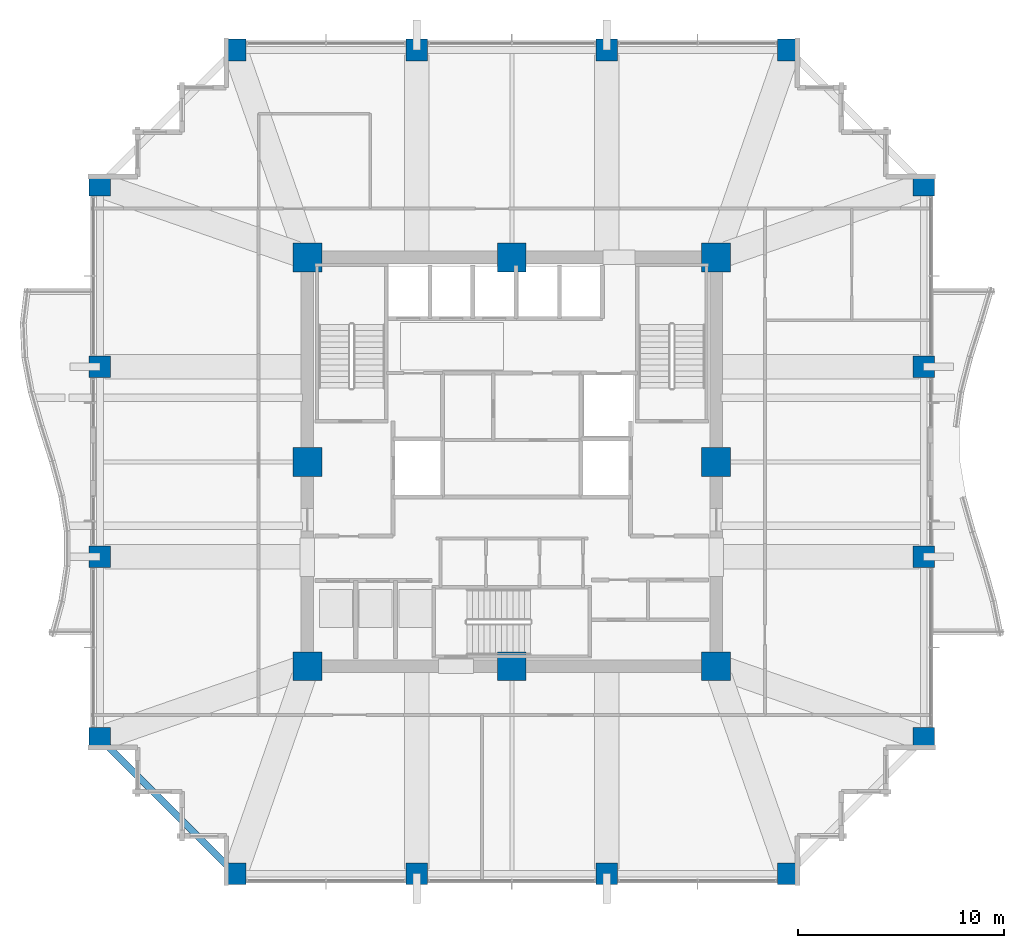
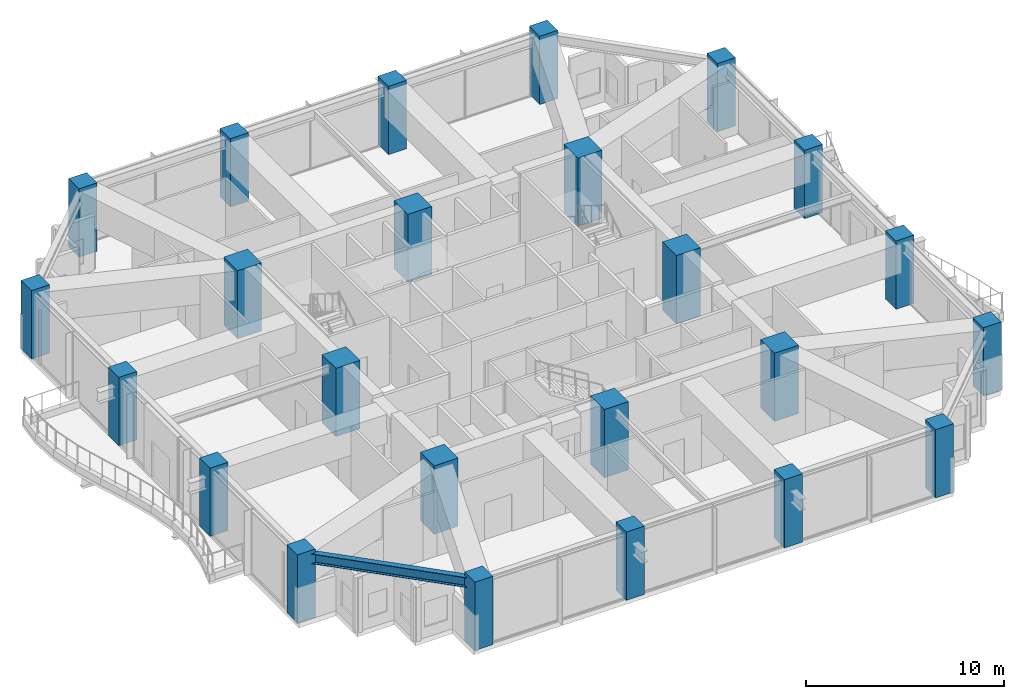
# One storey, part 1 of 40: 24 columns, 1 beam.
"""IFC4 building model written with IfcOpenShell, lengths in metres."""

from ifc_helpers import new_model, si_unit, direction, frame, origin, origin_2d, place, context, subcontext, project, spatial, rectangle, i_section, extrude, material, material_profile, profile_set, type_object, element, save


model = new_model("IFC4")

# Units and contexts
model_context = context("Model", 3, precision=1e-05, world=origin(), true_north=direction((0.0, 1.0)))
body_context = subcontext(model_context, "Body", "Model", "MODEL_VIEW")
ifc_project = project(units=[si_unit("LENGTHUNIT", "METRE"), si_unit("AREAUNIT", "SQUARE_METRE"), si_unit("VOLUMEUNIT", "CUBIC_METRE"), si_unit("PLANEANGLEUNIT", "RADIAN"), si_unit("MASSUNIT", "GRAM", prefix="KILO")], contexts=[model_context])

# Site, building, storey
site_placement = place(None, origin())
site = spatial("IfcSite", under=ifc_project, at=site_placement, CompositionType="ELEMENT")
building_placement = place(site_placement, origin())
building = spatial("IfcBuilding", under=site, at=building_placement, Name="Kolvaren Belvedere", CompositionType="ELEMENT")
storey_placement = place(building_placement, frame((0.0, 0.0, 68.0)))
storey = spatial("IfcBuildingStorey", under=building, at=storey_placement, Name="L19", CompositionType="ELEMENT", Elevation=68.0)

# Columns
ifc_material_1 = material(Name="Concrete C50/60", Category="concrete")
ifc_material_profile_1 = material_profile(ifc_material_1, rectangle(XDim=1.050048828125, YDim=1.050048828125, at=origin_2d()), Name="RC 1050X1050")
ifc_profile_set_1 = profile_set([ifc_material_profile_1], Name="Concrete C50/60")
column_type_1 = type_object("IfcColumnType", Name="COL-RC-1050", PredefinedType="COLUMN", material=ifc_profile_set_1)
for number, where, z_axis, x_axis, name in (
    (1, (-13.39990234375, -19.949951171875, 0.0), (0.0, 0.0, 1.0), (1.0, 0.0, 0.0), "L19 Perimeter Column S1"),
    (2, (-4.60009765625, -19.949951171875, 0.0), (0.0, 0.0, 1.0), (1.0, 0.0, 0.0), "L19 Perimeter Column S2"),
    (3, (4.60009765625, -19.949951171875, 0.0), (0.0, 0.0, 1.0), (1.0, 0.0, 0.0), "L19 Perimeter Column S3"),
    (4, (13.39990234375, -19.949951171875, 0.0), (0.0, 0.0, 1.0), (1.0, 0.0, 0.0), "L19 Perimeter Column S4"),
    (5, (-13.39990234375, 19.949951171875, 0.0), (0.0, 0.0, 1.0), (1.0, 0.0, 0.0), "L19 Perimeter Column N1"),
    (6, (-4.60009765625, 19.949951171875, 0.0), (0.0, 0.0, 1.0), (1.0, 0.0, 0.0), "L19 Perimeter Column N2"),
    (7, (4.60009765625, 19.949951171875, 0.0), (0.0, 0.0, 1.0), (1.0, 0.0, 0.0), "L19 Perimeter Column N3"),
    (8, (13.39990234375, 19.949951171875, 0.0), (0.0, 0.0, 1.0), (1.0, 0.0, 0.0), "L19 Perimeter Column N4"),
    (9, (-19.949951171875, -13.39990234375, 0.0), (0.0, 0.0, 1.0), (1.0, 0.0, 0.0), "L19 Perimeter Column W1"),
    (10, (-19.949951171875, -4.60009765625, 0.0), (0.0, 0.0, 1.0), (1.0, 0.0, 0.0), "L19 Perimeter Column W2"),
    (11, (-19.949951171875, 4.60009765625, 0.0), (0.0, 0.0, 1.0), (1.0, 0.0, 0.0), "L19 Perimeter Column W3"),
    (12, (-19.949951171875, 13.39990234375, 0.0), (0.0, 0.0, 1.0), (1.0, 0.0, 0.0), "L19 Perimeter Column W4"),
    (13, (19.949951171875, -13.39990234375, 0.0), (0.0, 0.0, 1.0), (1.0, 0.0, 0.0), "L19 Perimeter Column E1"),
    (14, (19.949951171875, -4.60009765625, 0.0), (0.0, 0.0, 1.0), (1.0, 0.0, 0.0), "L19 Perimeter Column E2"),
    (15, (19.949951171875, 4.60009765625, 0.0), (0.0, 0.0, 1.0), (1.0, 0.0, 0.0), "L19 Perimeter Column E3"),
    (16, (19.949951171875, 13.39990234375, 0.0), (0.0, 0.0, 1.0), (1.0, 0.0, 0.0), "L19 Perimeter Column E4"),
):
    element("IfcColumn", number, at=place(storey_placement, frame(where, z_axis=z_axis, x_axis=x_axis)), inside=storey, type_object=column_type_1, Name=name, PredefinedType="COLUMN", context=body_context, shape_type="SweptSolid", body=[
        extrude(rectangle(XDim=1.050048828125, YDim=1.050048828125, at=origin_2d()), origin(), (0.0, 0.0, 1.0), 4.199951171875),
    ])
ifc_material_2 = material(Name="Concrete C60/75", Category="concrete")
ifc_material_profile_2 = material_profile(ifc_material_2, rectangle(XDim=1.39990234375, YDim=1.39990234375, at=origin_2d()), Name="RC 1400X1400")
ifc_profile_set_2 = profile_set([ifc_material_profile_2], Name="Concrete C60/75")
column_type_2 = type_object("IfcColumnType", Name="COL-RC-1400", PredefinedType="COLUMN", material=ifc_profile_set_2)
for number, where, z_axis, x_axis, name in (
    (17, (-9.89990234375, -9.89990234375, 0.0), (0.0, 0.0, 1.0), (1.0, 0.0, 0.0), "L19 Core Column CC1"),
    (18, (9.89990234375, -9.89990234375, 0.0), (0.0, 0.0, 1.0), (1.0, 0.0, 0.0), "L19 Core Column CC2"),
    (19, (9.89990234375, 9.89990234375, 0.0), (0.0, 0.0, 1.0), (1.0, 0.0, 0.0), "L19 Core Column CC3"),
    (20, (-9.89990234375, 9.89990234375, 0.0), (0.0, 0.0, 1.0), (1.0, 0.0, 0.0), "L19 Core Column CC4"),
    (21, (0.0, -9.89990234375, 0.0), (0.0, 0.0, 1.0), (1.0, 0.0, 0.0), "L19 Core Column CM1"),
    (22, (9.89990234375, 0.0, 0.0), (0.0, 0.0, 1.0), (1.0, 0.0, 0.0), "L19 Core Column CM2"),
    (23, (0.0, 9.89990234375, 0.0), (0.0, 0.0, 1.0), (1.0, 0.0, 0.0), "L19 Core Column CM3"),
    (24, (-9.89990234375, 0.0, 0.0), (0.0, 0.0, 1.0), (1.0, 0.0, 0.0), "L19 Core Column CM4"),
):
    element("IfcColumn", number, at=place(storey_placement, frame(where, z_axis=z_axis, x_axis=x_axis)), inside=storey, type_object=column_type_2, Name=name, PredefinedType="COLUMN", context=body_context, shape_type="SweptSolid", body=[
        extrude(rectangle(XDim=1.39990234375, YDim=1.39990234375, at=origin_2d()), origin(), (0.0, 0.0, 1.0), 4.199951171875),
    ])

# Beam
ifc_material_3 = material(Name="Structural steel ASTM A992 Grade 50", Category="steel")
ifc_material_profile_3 = material_profile(ifc_material_3, i_section(OverallWidth=0.324951171875, OverallDepth=0.615966796875, WebThickness=0.013916015625, FlangeThickness=0.021484375, FilletRadius=0.02001953125, at=origin_2d()), Name="W24X117")
ifc_profile_set_3 = profile_set([ifc_material_profile_3], Name="Structural steel ASTM A992 Grade 50")
beam_type = type_object("IfcBeamType", Name="BM-SPAN-W24X117", PredefinedType="SPANDREL", material=ifc_profile_set_3)
beam_placement = place(storey_placement, frame((-19.782958984375, -13.567138671875, 3.672119140625), z_axis=(0.707106781187, -0.707106781187, 0.0), x_axis=(0.707106781187, 0.707106781187, 0.0)))
element("IfcBeam", 25, at=beam_placement, inside=storey, type_object=beam_type, Name="L19 Perimeter Spandrel W1-S1", PredefinedType="SPANDREL", context=body_context, shape_type="SweptSolid", body=[
    extrude(i_section(OverallWidth=0.324951171875, OverallDepth=0.615966796875, WebThickness=0.013916015625, FlangeThickness=0.021484375, FilletRadius=0.02001953125, at=origin_2d()), origin(), (0.0, 0.0, 1.0), 8.79052734375),
])

save(model, "model.ifc")
